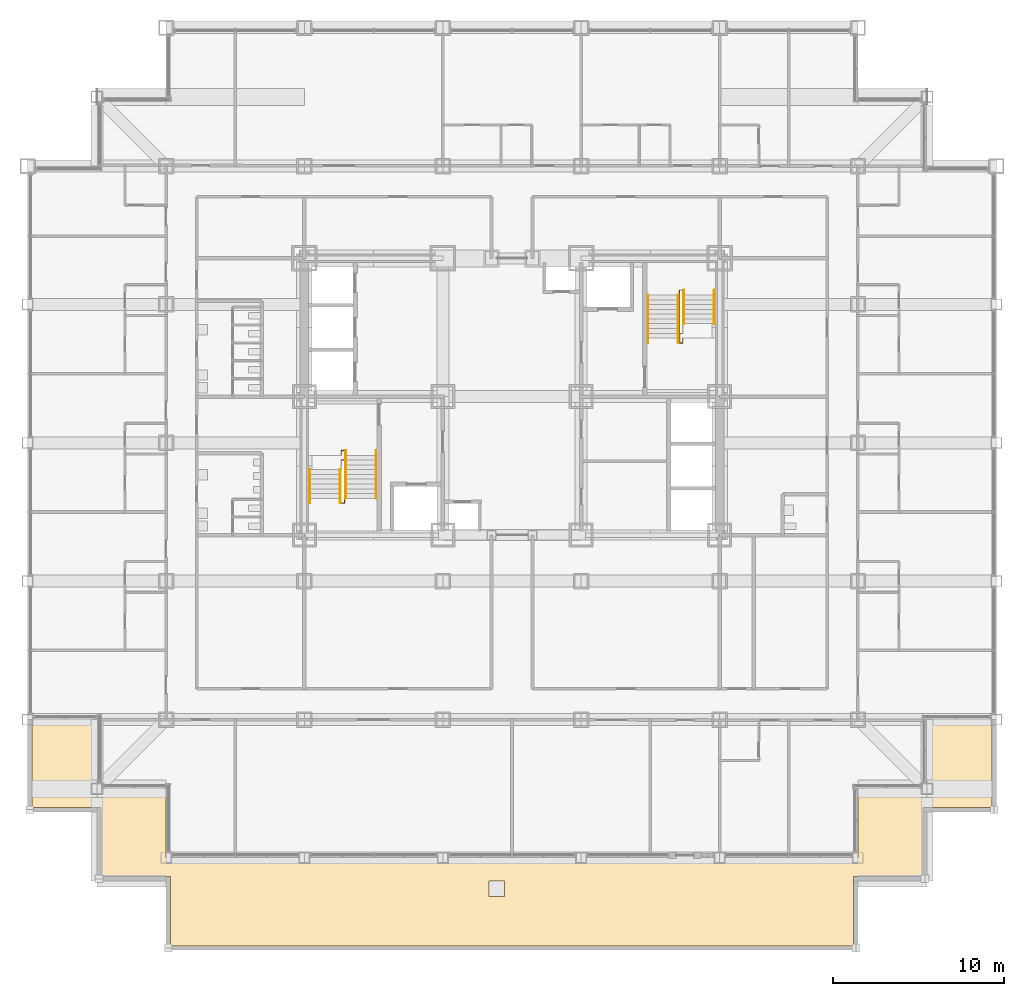
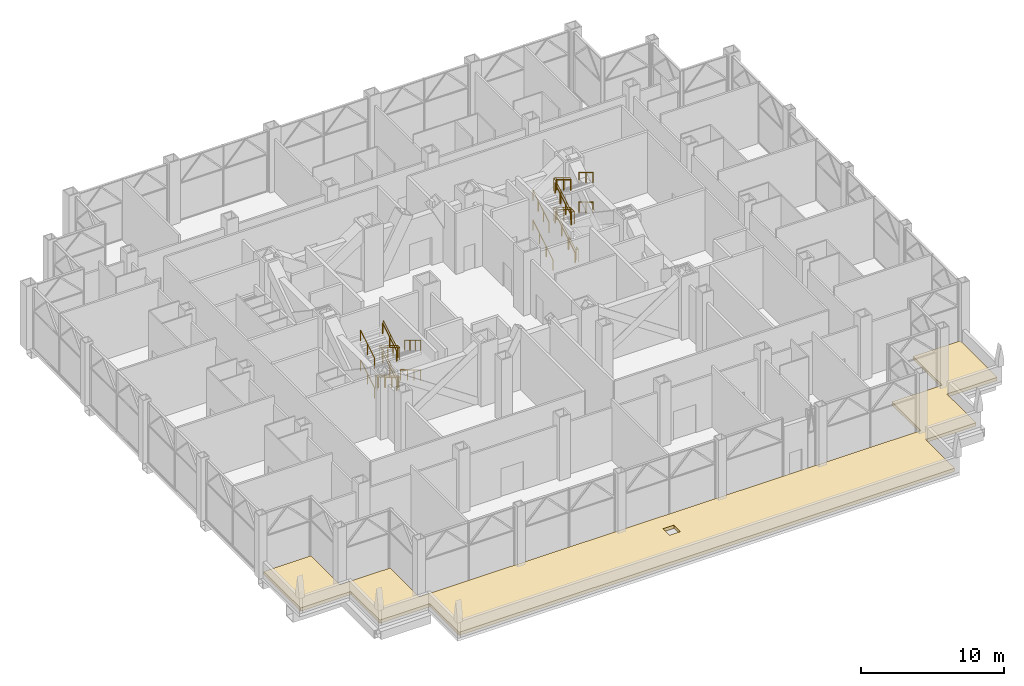
# One storey, part 25 of 26: 18 railings, 1 covering.
"""IFC4 building model written with IfcOpenShell, lengths in metres."""

from ifc_helpers import new_model, si_unit, direction, frame, origin, origin_2d, place, context, subcontext, project, spatial, polyline, circle, outline, extrude, material, layer, layer_set, type_object, element, save


model = new_model("IFC4")

# Units and contexts
model_context = context("Model", 3, precision=1e-05, world=origin(), true_north=direction((0.0, 1.0)))
body_context = subcontext(model_context, "Body", "Model", "MODEL_VIEW")
ifc_project = project(units=[si_unit("LENGTHUNIT", "METRE"), si_unit("AREAUNIT", "SQUARE_METRE"), si_unit("VOLUMEUNIT", "CUBIC_METRE"), si_unit("PLANEANGLEUNIT", "RADIAN"), si_unit("MASSUNIT", "GRAM", prefix="KILO")], contexts=[model_context])

# Site, building, storey
site_placement = place(None, origin())
site = spatial("IfcSite", under=ifc_project, at=site_placement, CompositionType="ELEMENT")
building_placement = place(site_placement, origin())
building = spatial("IfcBuilding", under=site, at=building_placement, Name="Kopane Lantern Tower", CompositionType="ELEMENT")
storey_placement = place(building_placement, frame((0.0, 0.0, 98.0)))
storey = spatial("IfcBuildingStorey", under=building, at=storey_placement, Name="L24", CompositionType="ELEMENT", Elevation=98.0)

# Covering
ifc_material_1 = material(Name="Bitumen membrane and extruded polystyrene insulation", Category="bitumen")
ifc_layer = layer(ifc_material_1, 0.280029296875)
ifc_layer_set = layer_set([ifc_layer], Name="ROOF FINISH RF1 INVERTED 280")
covering_type = type_object("IfcCoveringType", Name="ROOF FINISH RF1 INVERTED 280", PredefinedType="ROOFING", material=ifc_layer_set)
covering_placement = place(storey_placement, origin())
element("IfcCovering", 1, at=covering_placement, inside=storey, type_object=covering_type, Name="Roof finish L24", PredefinedType="ROOFING", context=body_context, shape_type="SweptSolid", body=[
    extrude(outline(polyline([(4.050048828125, 13.5), (0.25, 13.5), (0.25, 8.35009765625), (4.300048828125, 8.35009765625), (4.300048828125, 4.300048828125), (8.35009765625, 4.300048828125), (8.35009765625, 0.25), (48.35009765625, 0.25), (48.35009765625, 4.300048828125), (52.39990234375, 4.300048828125), (52.39990234375, 8.35009765625), (56.449951171875, 8.35009765625), (56.449951171875, 13.5), (52.64990234375, 13.5), (52.64990234375, 9.449951171875), (48.60009765625, 9.449951171875), (48.60009765625, 5.39990234375), (8.10009765625, 5.39990234375), (8.10009765625, 9.449951171875), (4.050048828125, 9.449951171875), (4.050048828125, 13.5)]), holes=[polyline([(27.89990234375, 4.050048828125), (27.89990234375, 3.14990234375), (27.0, 3.14990234375), (27.0, 4.050048828125), (27.89990234375, 4.050048828125)])]), origin(), (0.0, 0.0, 1.0), 0.280029296875),
])

# Railings
ifc_material_2 = material(Name="Steel", Category="steel")
railing_type_1 = type_object("IfcRailingType", Name="STAIR GUARD 1100", PredefinedType="GUARDRAIL", material=ifc_material_2)
railing_1_placement = place(storey_placement, frame((18.35009765625, 28.969970703125, 0.0)))
element("IfcRailing", 2, at=railing_1_placement, inside=storey, type_object=railing_type_1, Name="ST1 well guard L24", PredefinedType="GUARDRAIL", context=body_context, shape_type="SweptSolid", body=[
    extrude(circle(Radius=0.02392578125, at=origin_2d()), frame((0.0, 0.0, 1.076171875), z_axis=(0.0, 1.0, 0.0), x_axis=(-1.0, 0.0, 0.0)), (0.0, 0.0, 1.0), 0.280029296875),
    extrude(circle(Radius=0.02392578125, at=origin_2d()), frame((0.0, 0.280029296875, 1.076171875), z_axis=(1.0, 0.0, 0.0), x_axis=(0.0, 1.0, 0.0)), (0.0, 0.0, 1.0), 0.199951171875),
    extrude(circle(Radius=0.02392578125, at=origin_2d()), frame((0.199951171875, 0.280029296875, 1.076171875), z_axis=(0.0, -0.856483125134, 0.51617502493), x_axis=(1.0, 0.0, 0.0)), (0.0, 0.0, 1.0), 3.269287109375),
    extrude(circle(Radius=0.02392578125, at=origin_2d()), frame((0.199951171875, -2.52001953125, 2.763671875), z_axis=(0.0, -1.0, 0.0), x_axis=(1.0, 0.0, 0.0)), (0.0, 0.0, 1.0), 0.280029296875),
    extrude(circle(Radius=0.02392578125, at=origin_2d()), frame((0.199951171875, -2.800048828125, 2.763671875), z_axis=(-1.0, 0.0, 0.0), x_axis=(0.0, -1.0, 0.0)), (0.0, 0.0, 1.0), 0.199951171875),
    extrude(circle(Radius=0.02392578125, at=origin_2d()), frame((0.0, -2.800048828125, 2.763671875), z_axis=(0.0, 0.856446297458, 0.516236127728), x_axis=(-1.0, 0.0, 0.0)), (0.0, 0.0, 1.0), 2.28857421875),
    extrude(circle(Radius=0.02392578125, at=origin_2d()), frame((0.0, -0.840087890625, 3.94482421875), z_axis=(0.0, 1.0, 0.0), x_axis=(-1.0, 0.0, 0.0)), (0.0, 0.0, 1.0), 0.56005859375),
    extrude(circle(Radius=0.02392578125, at=origin_2d()), frame((0.0, -0.280029296875, 3.94482421875), z_axis=(1.0, 0.0, 0.0), x_axis=(0.0, 1.0, 0.0)), (0.0, 0.0, 1.0), 0.199951171875),
    extrude(circle(Radius=0.02392578125, at=origin_2d()), frame((0.199951171875, -0.280029296875, 3.94482421875), z_axis=(0.0, -0.856502912269, 0.516142190947), x_axis=(1.0, 0.0, 0.0)), (0.0, 0.0, 1.0), 2.615234375),
    extrude(circle(Radius=0.02392578125, at=origin_2d()), frame((0.199951171875, -2.52001953125, 5.294921875), z_axis=(0.0, -1.0, 0.0), x_axis=(1.0, 0.0, 0.0)), (0.0, 0.0, 1.0), 0.280029296875),
    extrude(circle(Radius=0.02392578125, at=origin_2d()), frame((0.199951171875, -2.800048828125, 5.294921875), z_axis=(-1.0, 0.0, 0.0), x_axis=(0.0, -1.0, 0.0)), (0.0, 0.0, 1.0), 0.199951171875),
    extrude(circle(Radius=0.02392578125, at=origin_2d()), frame((0.0, -2.800048828125, 5.294921875), z_axis=(0.0, 0.856493463811, 0.516157869696), x_axis=(-1.0, 0.0, 0.0)), (0.0, 0.0, 1.0), 2.288330078125),
    extrude(circle(Radius=0.02099609375, at=origin_2d()), origin(), (0.0, 0.0, 1.0), 1.052001953125),
    extrude(circle(Radius=0.02099609375, at=origin_2d()), frame((0.0, 0.280029296875, 0.0)), (0.0, 0.0, 1.0), 1.052001953125),
    extrude(circle(Radius=0.02099609375, at=origin_2d()), frame((0.199951171875, 0.280029296875, 0.0)), (0.0, 0.0, 1.0), 1.052001953125),
    extrude(circle(Radius=0.02099609375, at=origin_2d()), frame((0.199951171875, -0.6533203125, 0.5625)), (0.0, 0.0, 1.0), 1.052001953125),
    extrude(circle(Radius=0.02099609375, at=origin_2d()), frame((0.199951171875, -1.586669921875, 1.125)), (0.0, 0.0, 1.0), 1.052001953125),
    extrude(circle(Radius=0.02099609375, at=origin_2d()), frame((0.199951171875, -2.52001953125, 1.6875)), (0.0, 0.0, 1.0), 1.052001953125),
    extrude(circle(Radius=0.02099609375, at=origin_2d()), frame((0.199951171875, -2.800048828125, 1.6875)), (0.0, 0.0, 1.0), 1.052001953125),
    extrude(circle(Radius=0.02099609375, at=origin_2d()), frame((0.0, -2.800048828125, 1.6875)), (0.0, 0.0, 1.0), 1.052001953125),
    extrude(circle(Radius=0.02099609375, at=origin_2d()), frame((0.0, -1.820068359375, 2.2783203125)), (0.0, 0.0, 1.0), 1.052001953125),
    extrude(circle(Radius=0.02099609375, at=origin_2d()), frame((0.0, -0.840087890625, 2.868896484375)), (0.0, 0.0, 1.0), 1.052001953125),
    extrude(circle(Radius=0.02099609375, at=origin_2d()), frame((0.0, -0.280029296875, 2.868896484375)), (0.0, 0.0, 1.0), 1.052001953125),
    extrude(circle(Radius=0.02099609375, at=origin_2d()), frame((0.199951171875, -0.280029296875, 2.868896484375)), (0.0, 0.0, 1.0), 1.052001953125),
    extrude(circle(Radius=0.02099609375, at=origin_2d()), frame((0.199951171875, -1.026611328125, 3.31884765625)), (0.0, 0.0, 1.0), 1.052001953125),
    extrude(circle(Radius=0.02099609375, at=origin_2d()), frame((0.199951171875, -1.7734375, 3.768798828125)), (0.0, 0.0, 1.0), 1.052001953125),
    extrude(circle(Radius=0.02099609375, at=origin_2d()), frame((0.199951171875, -2.52001953125, 4.21875)), (0.0, 0.0, 1.0), 1.052001953125),
    extrude(circle(Radius=0.02099609375, at=origin_2d()), frame((0.199951171875, -2.800048828125, 4.21875)), (0.0, 0.0, 1.0), 1.052001953125),
    extrude(circle(Radius=0.02099609375, at=origin_2d()), frame((0.0, -2.800048828125, 4.21875)), (0.0, 0.0, 1.0), 1.052001953125),
    extrude(circle(Radius=0.02099609375, at=origin_2d()), frame((0.0, -1.820068359375, 4.809326171875)), (0.0, 0.0, 1.0), 1.052001953125),
    extrude(circle(Radius=0.02099609375, at=origin_2d()), frame((0.0, -0.840087890625, 5.39990234375)), (0.0, 0.0, 1.0), 1.052001953125),
])
railing_2_placement = place(storey_placement, frame((38.35009765625, 35.830078125, 0.0)))
element("IfcRailing", 3, at=railing_2_placement, inside=storey, type_object=railing_type_1, Name="ST2 well guard L24", PredefinedType="GUARDRAIL", context=body_context, shape_type="SweptSolid", body=[
    extrude(circle(Radius=0.02392578125, at=origin_2d()), frame((0.0, 0.0, 1.076171875), z_axis=(0.0, -1.0, 0.0), x_axis=(1.0, 0.0, 0.0)), (0.0, 0.0, 1.0), 0.280029296875),
    extrude(circle(Radius=0.02392578125, at=origin_2d()), frame((0.0, -0.280029296875, 1.076171875), z_axis=(-1.0, 0.0, 0.0), x_axis=(0.0, -1.0, 0.0)), (0.0, 0.0, 1.0), 0.2001953125),
    extrude(circle(Radius=0.02392578125, at=origin_2d()), frame((-0.2001953125, -0.280029296875, 1.076171875), z_axis=(0.0, 0.856483125134, 0.51617502493), x_axis=(-1.0, 0.0, 0.0)), (0.0, 0.0, 1.0), 3.269287109375),
    extrude(circle(Radius=0.02392578125, at=origin_2d()), frame((-0.2001953125, 2.52001953125, 2.763671875), z_axis=(0.0, 1.0, 0.0), x_axis=(-1.0, 0.0, 0.0)), (0.0, 0.0, 1.0), 0.27978515625),
    extrude(circle(Radius=0.02392578125, at=origin_2d()), frame((-0.2001953125, 2.7998046875, 2.763671875), z_axis=(1.0, 0.0, 0.0), x_axis=(0.0, 1.0, 0.0)), (0.0, 0.0, 1.0), 0.2001953125),
    extrude(circle(Radius=0.02392578125, at=origin_2d()), frame((0.0, 2.7998046875, 2.763671875), z_axis=(0.0, -0.856446297458, 0.516236127728), x_axis=(1.0, 0.0, 0.0)), (0.0, 0.0, 1.0), 2.28857421875),
    extrude(circle(Radius=0.02392578125, at=origin_2d()), frame((0.0, 0.83984375, 3.94482421875), z_axis=(0.0, -1.0, 0.0), x_axis=(1.0, 0.0, 0.0)), (0.0, 0.0, 1.0), 0.559814453125),
    extrude(circle(Radius=0.02392578125, at=origin_2d()), frame((0.0, 0.280029296875, 3.94482421875), z_axis=(-1.0, 0.0, 0.0), x_axis=(0.0, -1.0, 0.0)), (0.0, 0.0, 1.0), 0.2001953125),
    extrude(circle(Radius=0.02392578125, at=origin_2d()), frame((-0.2001953125, 0.280029296875, 3.94482421875), z_axis=(0.0, 0.856502912269, 0.516142190947), x_axis=(-1.0, 0.0, 0.0)), (0.0, 0.0, 1.0), 2.615234375),
    extrude(circle(Radius=0.02392578125, at=origin_2d()), frame((-0.2001953125, 2.52001953125, 5.294921875), z_axis=(0.0, 1.0, 0.0), x_axis=(-1.0, 0.0, 0.0)), (0.0, 0.0, 1.0), 0.27978515625),
    extrude(circle(Radius=0.02392578125, at=origin_2d()), frame((-0.2001953125, 2.7998046875, 5.294921875), z_axis=(1.0, 0.0, 0.0), x_axis=(0.0, 1.0, 0.0)), (0.0, 0.0, 1.0), 0.2001953125),
    extrude(circle(Radius=0.02392578125, at=origin_2d()), frame((0.0, 2.7998046875, 5.294921875), z_axis=(0.0, -0.856493463811, 0.516157869696), x_axis=(1.0, 0.0, 0.0)), (0.0, 0.0, 1.0), 2.288330078125),
    extrude(circle(Radius=0.02099609375, at=origin_2d()), origin(), (0.0, 0.0, 1.0), 1.052001953125),
    extrude(circle(Radius=0.02099609375, at=origin_2d()), frame((0.0, -0.280029296875, 0.0)), (0.0, 0.0, 1.0), 1.052001953125),
    extrude(circle(Radius=0.02099609375, at=origin_2d()), frame((-0.2001953125, -0.280029296875, 0.0)), (0.0, 0.0, 1.0), 1.052001953125),
    extrude(circle(Radius=0.02099609375, at=origin_2d()), frame((-0.2001953125, 0.6533203125, 0.5625)), (0.0, 0.0, 1.0), 1.052001953125),
    extrude(circle(Radius=0.02099609375, at=origin_2d()), frame((-0.2001953125, 1.586669921875, 1.125)), (0.0, 0.0, 1.0), 1.052001953125),
    extrude(circle(Radius=0.02099609375, at=origin_2d()), frame((-0.2001953125, 2.52001953125, 1.6875)), (0.0, 0.0, 1.0), 1.052001953125),
    extrude(circle(Radius=0.02099609375, at=origin_2d()), frame((-0.2001953125, 2.7998046875, 1.6875)), (0.0, 0.0, 1.0), 1.052001953125),
    extrude(circle(Radius=0.02099609375, at=origin_2d()), frame((0.0, 2.7998046875, 1.6875)), (0.0, 0.0, 1.0), 1.052001953125),
    extrude(circle(Radius=0.02099609375, at=origin_2d()), frame((0.0, 1.81982421875, 2.2783203125)), (0.0, 0.0, 1.0), 1.052001953125),
    extrude(circle(Radius=0.02099609375, at=origin_2d()), frame((0.0, 0.83984375, 2.868896484375)), (0.0, 0.0, 1.0), 1.052001953125),
    extrude(circle(Radius=0.02099609375, at=origin_2d()), frame((0.0, 0.280029296875, 2.868896484375)), (0.0, 0.0, 1.0), 1.052001953125),
    extrude(circle(Radius=0.02099609375, at=origin_2d()), frame((-0.2001953125, 0.280029296875, 2.868896484375)), (0.0, 0.0, 1.0), 1.052001953125),
    extrude(circle(Radius=0.02099609375, at=origin_2d()), frame((-0.2001953125, 1.026611328125, 3.31884765625)), (0.0, 0.0, 1.0), 1.052001953125),
    extrude(circle(Radius=0.02099609375, at=origin_2d()), frame((-0.2001953125, 1.7734375, 3.768798828125)), (0.0, 0.0, 1.0), 1.052001953125),
    extrude(circle(Radius=0.02099609375, at=origin_2d()), frame((-0.2001953125, 2.52001953125, 4.21875)), (0.0, 0.0, 1.0), 1.052001953125),
    extrude(circle(Radius=0.02099609375, at=origin_2d()), frame((-0.2001953125, 2.7998046875, 4.21875)), (0.0, 0.0, 1.0), 1.052001953125),
    extrude(circle(Radius=0.02099609375, at=origin_2d()), frame((0.0, 2.7998046875, 4.21875)), (0.0, 0.0, 1.0), 1.052001953125),
    extrude(circle(Radius=0.02099609375, at=origin_2d()), frame((0.0, 1.81982421875, 4.809326171875)), (0.0, 0.0, 1.0), 1.052001953125),
    extrude(circle(Radius=0.02099609375, at=origin_2d()), frame((0.0, 0.83984375, 5.39990234375)), (0.0, 0.0, 1.0), 1.052001953125),
])
ifc_material_3 = material(Name="Steel", Category="steel")
railing_type_2 = type_object("IfcRailingType", Name="STAIR HANDRAIL 900", PredefinedType="HANDRAIL", material=ifc_material_3)
for number, where, name in (
    (4, (20.389892578125, 29.25, 0.0), "ST1 handrail L24 flight 1"),
    (5, (18.610107421875, 29.25, 0.0), "ST1 handrail L24 flight 1"),
):
    element("IfcRailing", number, at=place(storey_placement, frame(where)), inside=storey, type_object=railing_type_2, Name=name, PredefinedType="HANDRAIL", context=body_context, shape_type="SweptSolid", body=[
        extrude(circle(Radius=0.02392578125, at=origin_2d()), frame((0.0, 0.0, 0.8759765625), z_axis=(0.0, -0.856483125134, 0.51617502493), x_axis=(1.0, 0.0, 0.0)), (0.0, 0.0, 1.0), 3.269287109375),
        extrude(circle(Radius=0.02099609375, at=origin_2d()), origin(), (0.0, 0.0, 1.0), 0.851806640625),
        extrude(circle(Radius=0.02099609375, at=origin_2d()), frame((0.0, -0.933349609375, 0.5625)), (0.0, 0.0, 1.0), 0.851806640625),
        extrude(circle(Radius=0.02099609375, at=origin_2d()), frame((0.0, -1.86669921875, 1.125)), (0.0, 0.0, 1.0), 0.851806640625),
        extrude(circle(Radius=0.02099609375, at=origin_2d()), frame((0.0, -2.800048828125, 1.6875)), (0.0, 0.0, 1.0), 0.851806640625),
    ])
for number, where, name in (
    (6, (16.510009765625, 26.169921875, 1.6875), "ST1 handrail L24 flight 2"),
    (7, (18.2900390625, 26.169921875, 1.6875), "ST1 handrail L24 flight 2"),
):
    element("IfcRailing", number, at=place(storey_placement, frame(where)), inside=storey, type_object=railing_type_2, Name=name, PredefinedType="HANDRAIL", context=body_context, shape_type="SweptSolid", body=[
        extrude(circle(Radius=0.02392578125, at=origin_2d()), frame((0.0, 0.0, 0.8759765625), z_axis=(0.0, 0.856446297458, 0.516236127728), x_axis=(-1.0, 0.0, 0.0)), (0.0, 0.0, 1.0), 2.28857421875),
        extrude(circle(Radius=0.02099609375, at=origin_2d()), origin(), (0.0, 0.0, 1.0), 0.851806640625),
        extrude(circle(Radius=0.02099609375, at=origin_2d()), frame((0.0, 0.97998046875, 0.5908203125)), (0.0, 0.0, 1.0), 0.851806640625),
        extrude(circle(Radius=0.02099609375, at=origin_2d()), frame((0.0, 1.9599609375, 1.181396484375)), (0.0, 0.0, 1.0), 0.851806640625),
    ])
for number, where, name in (
    (8, (20.389892578125, 28.68994140625, 2.868896484375), "ST1 handrail L24 flight 3"),
    (9, (18.610107421875, 28.68994140625, 2.868896484375), "ST1 handrail L24 flight 3"),
):
    element("IfcRailing", number, at=place(storey_placement, frame(where)), inside=storey, type_object=railing_type_2, Name=name, PredefinedType="HANDRAIL", context=body_context, shape_type="SweptSolid", body=[
        extrude(circle(Radius=0.02392578125, at=origin_2d()), frame((0.0, 0.0, 0.8759765625), z_axis=(0.0, -0.856502912269, 0.516142190947), x_axis=(1.0, 0.0, 0.0)), (0.0, 0.0, 1.0), 2.615234375),
        extrude(circle(Radius=0.02099609375, at=origin_2d()), origin(), (0.0, 0.0, 1.0), 0.851806640625),
        extrude(circle(Radius=0.02099609375, at=origin_2d()), frame((0.0, -0.74658203125, 0.449951171875)), (0.0, 0.0, 1.0), 0.851806640625),
        extrude(circle(Radius=0.02099609375, at=origin_2d()), frame((0.0, -1.493408203125, 0.89990234375)), (0.0, 0.0, 1.0), 0.851806640625),
        extrude(circle(Radius=0.02099609375, at=origin_2d()), frame((0.0, -2.239990234375, 1.349853515625)), (0.0, 0.0, 1.0), 0.851806640625),
    ])
for number, where, name in (
    (10, (16.510009765625, 26.169921875, 4.21875), "ST1 handrail L24 flight 4"),
    (11, (18.2900390625, 26.169921875, 4.21875), "ST1 handrail L24 flight 4"),
):
    element("IfcRailing", number, at=place(storey_placement, frame(where)), inside=storey, type_object=railing_type_2, Name=name, PredefinedType="HANDRAIL", context=body_context, shape_type="SweptSolid", body=[
        extrude(circle(Radius=0.02392578125, at=origin_2d()), frame((0.0, 0.0, 0.8759765625), z_axis=(0.0, 0.856493463811, 0.516157869696), x_axis=(-1.0, 0.0, 0.0)), (0.0, 0.0, 1.0), 2.288330078125),
        extrude(circle(Radius=0.02099609375, at=origin_2d()), origin(), (0.0, 0.0, 1.0), 0.851806640625),
        extrude(circle(Radius=0.02099609375, at=origin_2d()), frame((0.0, 0.97998046875, 0.590576171875)), (0.0, 0.0, 1.0), 0.851806640625),
        extrude(circle(Radius=0.02099609375, at=origin_2d()), frame((0.0, 1.9599609375, 1.18115234375)), (0.0, 0.0, 1.0), 0.851806640625),
    ])
for number, where, name in (
    (12, (36.31005859375, 35.550048828125, 0.0), "ST2 handrail L24 flight 1"),
    (13, (38.090087890625, 35.550048828125, 0.0), "ST2 handrail L24 flight 1"),
):
    element("IfcRailing", number, at=place(storey_placement, frame(where)), inside=storey, type_object=railing_type_2, Name=name, PredefinedType="HANDRAIL", context=body_context, shape_type="SweptSolid", body=[
        extrude(circle(Radius=0.02392578125, at=origin_2d()), frame((0.0, 0.0, 0.8759765625), z_axis=(0.0, 0.856483125134, 0.51617502493), x_axis=(-1.0, 0.0, 0.0)), (0.0, 0.0, 1.0), 3.269287109375),
        extrude(circle(Radius=0.02099609375, at=origin_2d()), origin(), (0.0, 0.0, 1.0), 0.851806640625),
        extrude(circle(Radius=0.02099609375, at=origin_2d()), frame((0.0, 0.933349609375, 0.5625)), (0.0, 0.0, 1.0), 0.851806640625),
        extrude(circle(Radius=0.02099609375, at=origin_2d()), frame((0.0, 1.86669921875, 1.125)), (0.0, 0.0, 1.0), 0.851806640625),
        extrude(circle(Radius=0.02099609375, at=origin_2d()), frame((0.0, 2.800048828125, 1.6875)), (0.0, 0.0, 1.0), 0.851806640625),
    ])
for number, where, name in (
    (14, (40.18994140625, 38.6298828125, 1.6875), "ST2 handrail L24 flight 2"),
    (15, (38.409912109375, 38.6298828125, 1.6875), "ST2 handrail L24 flight 2"),
):
    element("IfcRailing", number, at=place(storey_placement, frame(where)), inside=storey, type_object=railing_type_2, Name=name, PredefinedType="HANDRAIL", context=body_context, shape_type="SweptSolid", body=[
        extrude(circle(Radius=0.02392578125, at=origin_2d()), frame((0.0, 0.0, 0.8759765625), z_axis=(0.0, -0.856446297458, 0.516236127728), x_axis=(1.0, 0.0, 0.0)), (0.0, 0.0, 1.0), 2.28857421875),
        extrude(circle(Radius=0.02099609375, at=origin_2d()), origin(), (0.0, 0.0, 1.0), 0.851806640625),
        extrude(circle(Radius=0.02099609375, at=origin_2d()), frame((0.0, -0.97998046875, 0.5908203125)), (0.0, 0.0, 1.0), 0.851806640625),
        extrude(circle(Radius=0.02099609375, at=origin_2d()), frame((0.0, -1.9599609375, 1.181396484375)), (0.0, 0.0, 1.0), 0.851806640625),
    ])
for number, where, name in (
    (16, (36.31005859375, 36.110107421875, 2.868896484375), "ST2 handrail L24 flight 3"),
    (17, (38.090087890625, 36.110107421875, 2.868896484375), "ST2 handrail L24 flight 3"),
):
    element("IfcRailing", number, at=place(storey_placement, frame(where)), inside=storey, type_object=railing_type_2, Name=name, PredefinedType="HANDRAIL", context=body_context, shape_type="SweptSolid", body=[
        extrude(circle(Radius=0.02392578125, at=origin_2d()), frame((0.0, 0.0, 0.8759765625), z_axis=(0.0, 0.856502912269, 0.516142190947), x_axis=(-1.0, 0.0, 0.0)), (0.0, 0.0, 1.0), 2.615234375),
        extrude(circle(Radius=0.02099609375, at=origin_2d()), origin(), (0.0, 0.0, 1.0), 0.851806640625),
        extrude(circle(Radius=0.02099609375, at=origin_2d()), frame((0.0, 0.74658203125, 0.449951171875)), (0.0, 0.0, 1.0), 0.851806640625),
        extrude(circle(Radius=0.02099609375, at=origin_2d()), frame((0.0, 1.493408203125, 0.89990234375)), (0.0, 0.0, 1.0), 0.851806640625),
        extrude(circle(Radius=0.02099609375, at=origin_2d()), frame((0.0, 2.239990234375, 1.349853515625)), (0.0, 0.0, 1.0), 0.851806640625),
    ])
for number, where, name in (
    (18, (40.18994140625, 38.6298828125, 4.21875), "ST2 handrail L24 flight 4"),
    (19, (38.409912109375, 38.6298828125, 4.21875), "ST2 handrail L24 flight 4"),
):
    element("IfcRailing", number, at=place(storey_placement, frame(where)), inside=storey, type_object=railing_type_2, Name=name, PredefinedType="HANDRAIL", context=body_context, shape_type="SweptSolid", body=[
        extrude(circle(Radius=0.02392578125, at=origin_2d()), frame((0.0, 0.0, 0.8759765625), z_axis=(0.0, -0.856493463811, 0.516157869696), x_axis=(1.0, 0.0, 0.0)), (0.0, 0.0, 1.0), 2.288330078125),
        extrude(circle(Radius=0.02099609375, at=origin_2d()), origin(), (0.0, 0.0, 1.0), 0.851806640625),
        extrude(circle(Radius=0.02099609375, at=origin_2d()), frame((0.0, -0.97998046875, 0.590576171875)), (0.0, 0.0, 1.0), 0.851806640625),
        extrude(circle(Radius=0.02099609375, at=origin_2d()), frame((0.0, -1.9599609375, 1.18115234375)), (0.0, 0.0, 1.0), 0.851806640625),
    ])

save(model, "model.ifc")
